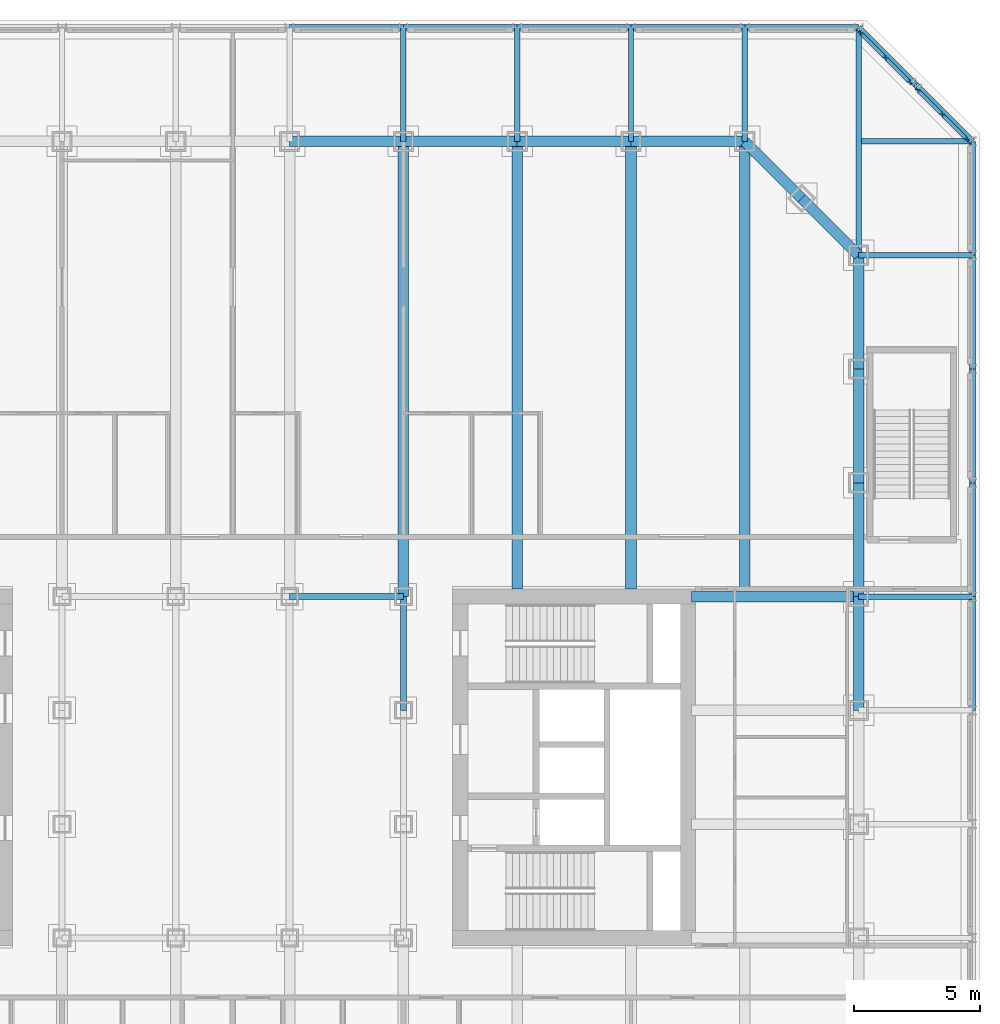
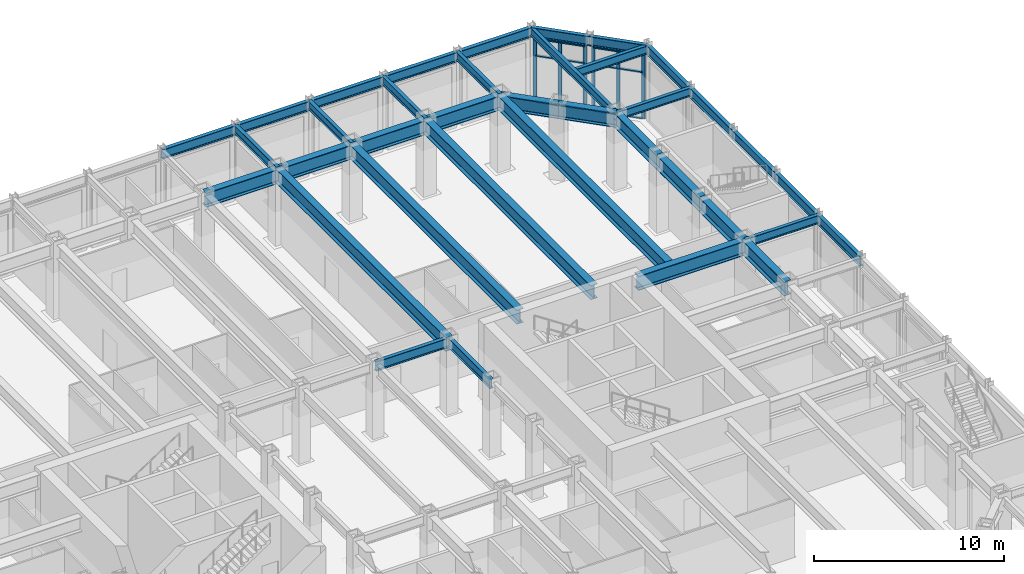
# One storey, part 8 of 19: 37 beams, 18 members, 2 elements without a shape of their own.
"""IFC4 building model written with IfcOpenShell, lengths in metres."""

import ifcopenshell
import ifcopenshell.guid

model = None  # the IFC model being written
_history = None  # IfcOwnerHistory: only IFC2X3 demands one
_inside = {}  # id of a spatial element -> (the spatial element, [elements in it])
_under = {}  # id of a project, library or spatial element -> (it, [spatial elements below it])
_declared = {}  # id of a project -> (the project, [libraries it declares])
_typed = {}  # id of a type object -> (the type object, [elements of that type])
_made_of = {}  # id of a material, layer set ... -> (it, [elements and type objects made of it])


def new_model(schema):
    """Start an empty IFC model of exactly this schema.

    Asked for "IFC4X3", IfcOpenShell would pick the latest addendum, in which some entities
    have other attributes; the version numbers below select the first issue.
    IFC2X3 requires an IfcOwnerHistory on every rooted entity: one is made here for all.
    """
    global model, _history
    if schema == "IFC4X3":
        model = ifcopenshell.file(schema_version=(4, 3, 0, 0))
    else:
        model = ifcopenshell.file(schema=schema)
    _inside.clear()
    _under.clear()
    _declared.clear()
    _typed.clear()
    _made_of.clear()
    _history = None
    if model.schema == "IFC2X3":
        org = make("IfcOrganization", Name="unknown")
        user = make(
            "IfcPersonAndOrganization",
            ThePerson=make("IfcPerson", FamilyName="unknown"),
            TheOrganization=org,
        )
        app = make(
            "IfcApplication",
            ApplicationDeveloper=org,
            Version="unknown",
            ApplicationFullName="unknown",
            ApplicationIdentifier="unknown",
        )
        _history = make(
            "IfcOwnerHistory",
            OwningUser=user,
            OwningApplication=app,
            ChangeAction="ADDED",
            CreationDate=0,
        )
    return model


def make(cls, **values):
    """One entity of the class cls with the attributes given. An attribute that is None is left unset."""
    return model.create_entity(
        cls, **{name: value for name, value in values.items() if value is not None}
    )


def rooted(cls, **values):
    """An entity with a GlobalId (a new one), such as an element, a storey or a relation."""
    return make(cls, GlobalId=ifcopenshell.guid.new(), OwnerHistory=_history, **values)


def si_unit(unit_type, name, prefix=None):
    """IfcSIUnit, for example si_unit("LENGTHUNIT", "METRE", prefix="MILLI")."""
    return make("IfcSIUnit", UnitType=unit_type, Prefix=prefix, Name=name)


def assignment(units):
    """IfcUnitAssignment: the units of a project."""
    return None if units is None else make("IfcUnitAssignment", Units=units)


def point(xyz):
    """IfcCartesianPoint."""
    return None if xyz is None else make("IfcCartesianPoint", Coordinates=xyz)


def direction(xyz):
    """IfcDirection."""
    return None if xyz is None else make("IfcDirection", DirectionRatios=xyz)


def frame(location, z_axis=None, x_axis=None):
    """IfcAxis2Placement3D, a coordinate frame: its origin and axes. An axis left out is left unset."""
    return make(
        "IfcAxis2Placement3D",
        Location=point(location),
        Axis=direction(z_axis),
        RefDirection=direction(x_axis),
    )


def frame_2d(location, x_axis=None):
    """IfcAxis2Placement2D, a coordinate frame in the plane: its origin and x axis."""
    return make(
        "IfcAxis2Placement2D", Location=point(location), RefDirection=direction(x_axis)
    )


def origin():
    """The frame at (0, 0, 0) with its axes left unset."""
    return frame((0.0, 0.0, 0.0))


def origin_2d():
    """The frame at (0, 0) in the plane with its x axis left unset."""
    return frame_2d((0.0, 0.0))


def place(relative_to, where):
    """IfcLocalPlacement: puts the frame where relative to a parent placement (None: the world)."""
    return make(
        "IfcLocalPlacement", PlacementRelTo=relative_to, RelativePlacement=where
    )


def context(
    kind, dimensions, precision=None, world=None, true_north=None, identifier=None
):
    """IfcGeometricRepresentationContext, for example the 3D "Model" context."""
    return make(
        "IfcGeometricRepresentationContext",
        ContextIdentifier=identifier,
        ContextType=kind,
        CoordinateSpaceDimension=dimensions,
        Precision=precision,
        WorldCoordinateSystem=world,
        TrueNorth=true_north,
    )


def subcontext(parent, identifier, kind, view, scale=None):
    """IfcGeometricRepresentationSubContext, for example "Body" below "Model"."""
    return make(
        "IfcGeometricRepresentationSubContext",
        ContextIdentifier=identifier,
        ContextType=kind,
        ParentContext=parent,
        TargetScale=scale,
        TargetView=view,
    )


def project(units=None, contexts=None):
    """IfcProject with its units and contexts."""
    return rooted(
        "IfcProject",
        Name="project",
        RepresentationContexts=contexts,
        UnitsInContext=assignment(units),
    )


def spatial(cls, under=None, at=None, **own):
    """A site, building, storey or space (cls), placed at a placement, below another one or the project."""
    s = rooted(cls, ObjectPlacement=at, **own)
    if under is not None:
        _under.setdefault(under.id(), (under, []))[1].append(s)
    return s


def profile(cls, at=None, kind="AREA", **sizes):
    """A parametric profile (cls). Its sizes go by their IFC names, for example OverallWidth=200.0."""
    return make(cls, ProfileType=kind, Position=at, **sizes)


def rectangle(**sizes):
    """IfcRectangleProfileDef."""
    return profile("IfcRectangleProfileDef", **sizes)


def i_section(**sizes):
    """IfcIShapeProfileDef."""
    return profile("IfcIShapeProfileDef", **sizes)


def extrude(swept, where, along, depth):
    """IfcExtrudedAreaSolid: the profile swept, set in the frame where, extruded along a direction by depth."""
    return make(
        "IfcExtrudedAreaSolid",
        SweptArea=swept,
        Position=where,
        ExtrudedDirection=direction(along),
        Depth=depth,
    )


def shape(context_of_items, identifier, shape_type, items):
    """IfcShapeRepresentation: the items that make up one representation, for example the "Body"."""
    return make(
        "IfcShapeRepresentation",
        ContextOfItems=context_of_items,
        RepresentationIdentifier=identifier,
        RepresentationType=shape_type,
        Items=items,
    )


def material(Name=None, Category=None):
    """IfcMaterial."""
    return make("IfcMaterial", Name=Name, Category=Category)


def material_profile(
    of_material, cross_section, Name=None, Category=None, Priority=None
):
    """IfcMaterialProfile: a cross section and its material."""
    return make(
        "IfcMaterialProfile",
        Name=Name,
        Material=of_material,
        Profile=cross_section,
        Priority=Priority,
        Category=Category,
    )


def profile_set(profiles, Name=None, composite=None):
    """IfcMaterialProfileSet."""
    return make(
        "IfcMaterialProfileSet",
        Name=Name,
        MaterialProfiles=profiles,
        CompositeProfile=composite,
    )


def made_of(thing, what):
    """Note that an element or type object is made of a material, layer set ...; save() writes the relation."""
    if what is not None:
        _made_of.setdefault(what.id(), (what, []))[1].append(thing)
    return thing


def type_object(cls, material=None, **own):
    """A type object (cls), such as IfcWallType, which elements share."""
    return made_of(rooted(cls, **own), material)


def element(
    cls,
    number,
    at=None,
    inside=None,
    cuts=None,
    type_object=None,
    material=None,
    context=None,
    identifier="Body",
    shape_type=None,
    held_by="IfcProductDefinitionShape",
    body=None,
    shapes=None,
    **own,
):
    """One element of the class cls, such as IfcWall. Its Tag is "e" and its number.

    at: its placement. inside: the storey or other place that contains it. cuts: it is an
    opening in that element (IfcRelVoidsElement). A single representation is given by context,
    identifier, shape_type and body (its items); several are given by shapes. held_by: the class
    of the entity that holds the representations. save() writes the other relations.
    """
    e = rooted(cls, Tag="e%d" % number, ObjectPlacement=at, **own)
    if body is not None:
        shapes = [shape(context, identifier, shape_type, body)]
    if shapes is not None:
        e.Representation = make(held_by, Representations=shapes)
    if inside is not None:
        _inside.setdefault(inside.id(), (inside, []))[1].append(e)
    if cuts is not None:
        rooted(
            "IfcRelVoidsElement", RelatingBuildingElement=cuts, RelatedOpeningElement=e
        )
    if type_object is not None:
        _typed.setdefault(type_object.id(), (type_object, []))[1].append(e)
    return made_of(e, material)


def aggregate(whole, parts):
    """IfcRelAggregates: a whole, such as a stair, and the parts it consists of."""
    return rooted("IfcRelAggregates", RelatingObject=whole, RelatedObjects=parts)


def save(model, path):
    """Write the relations noted so far, then the file.

    IfcRelAggregates (storeys below a building ...), IfcRelContainedInSpatialStructure (elements
    in a storey), IfcRelDefinesByType, IfcRelAssociatesMaterial and IfcRelDeclares: one each for
    every whole, place, type object, material and project.
    """
    for whole, parts in _under.values():
        aggregate(whole, parts)
    for where, things in _inside.values():
        rooted(
            "IfcRelContainedInSpatialStructure",
            RelatedElements=things,
            RelatingStructure=where,
        )
    for kind, things in _typed.values():
        rooted("IfcRelDefinesByType", RelatedObjects=things, RelatingType=kind)
    for what, things in _made_of.values():
        rooted("IfcRelAssociatesMaterial", RelatedObjects=things, RelatingMaterial=what)
    for by, libraries in _declared.values():
        rooted("IfcRelDeclares", RelatingContext=by, RelatedDefinitions=libraries)
    model.write(path)


model = new_model("IFC4")

# Units and contexts
model_context = context("Model", 3, precision=1e-05, world=origin(), true_north=direction((0.0, 1.0)))
body_context = subcontext(model_context, "Body", "Model", "MODEL_VIEW")
ifc_project = project(units=[si_unit("LENGTHUNIT", "METRE"), si_unit("AREAUNIT", "SQUARE_METRE"), si_unit("VOLUMEUNIT", "CUBIC_METRE"), si_unit("PLANEANGLEUNIT", "RADIAN"), si_unit("MASSUNIT", "GRAM", prefix="KILO")], contexts=[model_context])

# Site, building, storey
site_placement = place(None, origin())
site = spatial("IfcSite", under=ifc_project, at=site_placement, CompositionType="ELEMENT")
building_placement = place(site_placement, origin())
building = spatial("IfcBuilding", under=site, at=building_placement, Name="Msasa Ring Tower", CompositionType="ELEMENT")
storey_placement = place(building_placement, frame((0.0, 0.0, 11.0)))
storey = spatial("IfcBuildingStorey", under=building, at=storey_placement, Name="L02", CompositionType="ELEMENT", Elevation=11.0)

# Curtain wall, members
ifc_material_1 = material(Name="Aluminium curtain wall with clear glass", Category="aluminium")
curtain_wall_type = type_object("IfcCurtainWallType", Name="CW-K PODIUM CORNER CURTAIN WALL", PredefinedType="NOTDEFINED", material=ifc_material_1)
curtain_wall_1_placement = place(storey_placement, origin())
curtain_wall_1 = element("IfcCurtainWall", 1, at=curtain_wall_1_placement, inside=storey, type_object=curtain_wall_type, Name="Podium corner curtain wall NE L02", PredefinedType="NOTDEFINED")
ifc_material_2 = material(Name="Aluminium mullion", Category="aluminium")
ifc_material_profile_1 = material_profile(ifc_material_2, rectangle(XDim=0.070068359375, YDim=0.199951171875, at=origin_2d()), Name="AL 70x200")
ifc_profile_set_1 = profile_set([ifc_material_profile_1], Name="Aluminium mullion")
member_type_1 = type_object("IfcMemberType", Name="CW-K MULLION 70x200", PredefinedType="MULLION", material=ifc_profile_set_1)
member_1_placement = place(storey_placement, frame((26.77197265625, 27.086669921875, 0.0), z_axis=(0.0, 0.0, 1.0), x_axis=(-0.707106781187, -0.707106781187, 0.0)))
member_1 = element("IfcMember", 2, at=member_1_placement, type_object=member_type_1, Name="CW-K mullion 1", PredefinedType="MULLION", context=body_context, shape_type="SweptSolid", body=[
    extrude(rectangle(XDim=0.070068359375, YDim=0.199951171875, at=origin_2d()), origin(), (0.0, 0.0, 1.0), 4.1328125),
])
member_2_placement = place(storey_placement, frame((25.80419921875, 28.05419921875, 0.0), z_axis=(0.0, 0.0, 1.0), x_axis=(-0.707106781187, -0.707106781187, 0.0)))
member_2 = element("IfcMember", 3, at=member_2_placement, type_object=member_type_1, Name="CW-K mullion 2", PredefinedType="MULLION", context=body_context, shape_type="SweptSolid", body=[
    extrude(rectangle(XDim=0.070068359375, YDim=0.199951171875, at=origin_2d()), origin(), (0.0, 0.0, 1.0), 4.1328125),
])
member_3_placement = place(storey_placement, frame((24.836669921875, 29.02197265625, 0.0), z_axis=(0.0, 0.0, 1.0), x_axis=(-0.707106781187, -0.707106781187, 0.0)))
member_3 = element("IfcMember", 4, at=member_3_placement, type_object=member_type_1, Name="CW-K mullion 3", PredefinedType="MULLION", context=body_context, shape_type="SweptSolid", body=[
    extrude(rectangle(XDim=0.070068359375, YDim=0.199951171875, at=origin_2d()), origin(), (0.0, 0.0, 1.0), 4.1328125),
])

curtain_wall_2_placement = place(storey_placement, origin())
curtain_wall_2 = element("IfcCurtainWall", 5, at=curtain_wall_2_placement, inside=storey, type_object=curtain_wall_type, Name="Podium corner curtain wall NE L02", PredefinedType="NOTDEFINED")
member_4_placement = place(storey_placement, frame((29.02197265625, 24.836669921875, 0.0), z_axis=(0.0, 0.0, 1.0), x_axis=(-0.707106781187, -0.707106781187, 0.0)))
member_4 = element("IfcMember", 6, at=member_4_placement, type_object=member_type_1, Name="CW-K mullion 1", PredefinedType="MULLION", context=body_context, shape_type="SweptSolid", body=[
    extrude(rectangle(XDim=0.070068359375, YDim=0.199951171875, at=origin_2d()), origin(), (0.0, 0.0, 1.0), 4.1328125),
])
member_5_placement = place(storey_placement, frame((28.05419921875, 25.80419921875, 0.0), z_axis=(0.0, 0.0, 1.0), x_axis=(-0.707106781187, -0.707106781187, 0.0)))
member_5 = element("IfcMember", 7, at=member_5_placement, type_object=member_type_1, Name="CW-K mullion 2", PredefinedType="MULLION", context=body_context, shape_type="SweptSolid", body=[
    extrude(rectangle(XDim=0.070068359375, YDim=0.199951171875, at=origin_2d()), origin(), (0.0, 0.0, 1.0), 4.1328125),
])
member_6_placement = place(storey_placement, frame((27.086669921875, 26.77197265625, 0.0), z_axis=(0.0, 0.0, 1.0), x_axis=(-0.707106781187, -0.707106781187, 0.0)))
member_6 = element("IfcMember", 8, at=member_6_placement, type_object=member_type_1, Name="CW-K mullion 3", PredefinedType="MULLION", context=body_context, shape_type="SweptSolid", body=[
    extrude(rectangle(XDim=0.070068359375, YDim=0.199951171875, at=origin_2d()), origin(), (0.0, 0.0, 1.0), 4.1328125),
])

# Member
ifc_material_3 = material(Name="Aluminium transom", Category="aluminium")
ifc_material_profile_2 = material_profile(ifc_material_3, rectangle(XDim=0.14990234375, YDim=0.070068359375, at=origin_2d()), Name="AL 70x150")
ifc_profile_set_2 = profile_set([ifc_material_profile_2], Name="Aluminium transom")
member_type_2 = type_object("IfcMemberType", Name="CW-K TRANSOM 70x150", PredefinedType="USERDEFINED", material=ifc_profile_set_2)
member_7_placement = place(storey_placement, frame((26.7470703125, 27.111572265625, 0.034912109375), z_axis=(-0.707106781187, 0.707106781187, 0.0), x_axis=(-0.707106781187, -0.707106781187, 0.0)))
member_7 = element("IfcMember", 9, at=member_7_placement, type_object=member_type_2, Name="CW-K transom 1.1", ObjectType="TRANSOM", PredefinedType="USERDEFINED", context=body_context, shape_type="SweptSolid", body=[
    extrude(rectangle(XDim=0.14990234375, YDim=0.070068359375, at=origin_2d()), origin(), (0.0, 0.0, 1.0), 1.298095703125),
])

member_8_placement = place(storey_placement, frame((26.7470703125, 27.111572265625, 3.0), z_axis=(-0.707106781187, 0.707106781187, 0.0), x_axis=(-0.707106781187, -0.707106781187, 0.0)))
member_8 = element("IfcMember", 10, at=member_8_placement, type_object=member_type_2, Name="CW-K transom 1.2", ObjectType="TRANSOM", PredefinedType="USERDEFINED", context=body_context, shape_type="SweptSolid", body=[
    extrude(rectangle(XDim=0.14990234375, YDim=0.070068359375, at=origin_2d()), origin(), (0.0, 0.0, 1.0), 1.298095703125),
])

member_9_placement = place(storey_placement, frame((26.7470703125, 27.111572265625, 4.097900390625), z_axis=(-0.707106781187, 0.707106781187, 0.0), x_axis=(-0.707106781187, -0.707106781187, 0.0)))
member_9 = element("IfcMember", 11, at=member_9_placement, type_object=member_type_2, Name="CW-K transom 1.3", ObjectType="TRANSOM", PredefinedType="USERDEFINED", context=body_context, shape_type="SweptSolid", body=[
    extrude(rectangle(XDim=0.14990234375, YDim=0.070068359375, at=origin_2d()), origin(), (0.0, 0.0, 1.0), 1.298095703125),
])

member_10_placement = place(storey_placement, frame((25.779541015625, 28.0791015625, 0.034912109375), z_axis=(-0.707106781187, 0.707106781187, 0.0), x_axis=(-0.707106781187, -0.707106781187, 0.0)))
member_10 = element("IfcMember", 12, at=member_10_placement, type_object=member_type_2, Name="CW-K transom 2.1", ObjectType="TRANSOM", PredefinedType="USERDEFINED", context=body_context, shape_type="SweptSolid", body=[
    extrude(rectangle(XDim=0.14990234375, YDim=0.070068359375, at=origin_2d()), origin(), (0.0, 0.0, 1.0), 1.298095703125),
])

member_11_placement = place(storey_placement, frame((25.779541015625, 28.0791015625, 3.0), z_axis=(-0.707106781187, 0.707106781187, 0.0), x_axis=(-0.707106781187, -0.707106781187, 0.0)))
member_11 = element("IfcMember", 13, at=member_11_placement, type_object=member_type_2, Name="CW-K transom 2.2", ObjectType="TRANSOM", PredefinedType="USERDEFINED", context=body_context, shape_type="SweptSolid", body=[
    extrude(rectangle(XDim=0.14990234375, YDim=0.070068359375, at=origin_2d()), origin(), (0.0, 0.0, 1.0), 1.298095703125),
])

member_12_placement = place(storey_placement, frame((25.779541015625, 28.0791015625, 4.097900390625), z_axis=(-0.707106781187, 0.707106781187, 0.0), x_axis=(-0.707106781187, -0.707106781187, 0.0)))
member_12 = element("IfcMember", 14, at=member_12_placement, type_object=member_type_2, Name="CW-K transom 2.3", ObjectType="TRANSOM", PredefinedType="USERDEFINED", context=body_context, shape_type="SweptSolid", body=[
    extrude(rectangle(XDim=0.14990234375, YDim=0.070068359375, at=origin_2d()), origin(), (0.0, 0.0, 1.0), 1.298095703125),
])

aggregate(curtain_wall_1, [member_1, member_2, member_3, member_7, member_8, member_9, member_10, member_11, member_12])

member_13_placement = place(storey_placement, frame((28.9970703125, 24.861572265625, 0.034912109375), z_axis=(-0.707106781187, 0.707106781187, 0.0), x_axis=(-0.707106781187, -0.707106781187, 0.0)))
member_13 = element("IfcMember", 15, at=member_13_placement, type_object=member_type_2, Name="CW-K transom 1.1", ObjectType="TRANSOM", PredefinedType="USERDEFINED", context=body_context, shape_type="SweptSolid", body=[
    extrude(rectangle(XDim=0.14990234375, YDim=0.070068359375, at=origin_2d()), origin(), (0.0, 0.0, 1.0), 1.298095703125),
])

member_14_placement = place(storey_placement, frame((28.9970703125, 24.861572265625, 3.0), z_axis=(-0.707106781187, 0.707106781187, 0.0), x_axis=(-0.707106781187, -0.707106781187, 0.0)))
member_14 = element("IfcMember", 16, at=member_14_placement, type_object=member_type_2, Name="CW-K transom 1.2", ObjectType="TRANSOM", PredefinedType="USERDEFINED", context=body_context, shape_type="SweptSolid", body=[
    extrude(rectangle(XDim=0.14990234375, YDim=0.070068359375, at=origin_2d()), origin(), (0.0, 0.0, 1.0), 1.298095703125),
])

member_15_placement = place(storey_placement, frame((28.9970703125, 24.861572265625, 4.097900390625), z_axis=(-0.707106781187, 0.707106781187, 0.0), x_axis=(-0.707106781187, -0.707106781187, 0.0)))
member_15 = element("IfcMember", 17, at=member_15_placement, type_object=member_type_2, Name="CW-K transom 1.3", ObjectType="TRANSOM", PredefinedType="USERDEFINED", context=body_context, shape_type="SweptSolid", body=[
    extrude(rectangle(XDim=0.14990234375, YDim=0.070068359375, at=origin_2d()), origin(), (0.0, 0.0, 1.0), 1.298095703125),
])

member_16_placement = place(storey_placement, frame((28.029541015625, 25.8291015625, 0.034912109375), z_axis=(-0.707106781187, 0.707106781187, 0.0), x_axis=(-0.707106781187, -0.707106781187, 0.0)))
member_16 = element("IfcMember", 18, at=member_16_placement, type_object=member_type_2, Name="CW-K transom 2.1", ObjectType="TRANSOM", PredefinedType="USERDEFINED", context=body_context, shape_type="SweptSolid", body=[
    extrude(rectangle(XDim=0.14990234375, YDim=0.070068359375, at=origin_2d()), origin(), (0.0, 0.0, 1.0), 1.298095703125),
])

member_17_placement = place(storey_placement, frame((28.029541015625, 25.8291015625, 3.0), z_axis=(-0.707106781187, 0.707106781187, 0.0), x_axis=(-0.707106781187, -0.707106781187, 0.0)))
member_17 = element("IfcMember", 19, at=member_17_placement, type_object=member_type_2, Name="CW-K transom 2.2", ObjectType="TRANSOM", PredefinedType="USERDEFINED", context=body_context, shape_type="SweptSolid", body=[
    extrude(rectangle(XDim=0.14990234375, YDim=0.070068359375, at=origin_2d()), origin(), (0.0, 0.0, 1.0), 1.298095703125),
])

member_18_placement = place(storey_placement, frame((28.029541015625, 25.8291015625, 4.097900390625), z_axis=(-0.707106781187, 0.707106781187, 0.0), x_axis=(-0.707106781187, -0.707106781187, 0.0)))
member_18 = element("IfcMember", 20, at=member_18_placement, type_object=member_type_2, Name="CW-K transom 2.3", ObjectType="TRANSOM", PredefinedType="USERDEFINED", context=body_context, shape_type="SweptSolid", body=[
    extrude(rectangle(XDim=0.14990234375, YDim=0.070068359375, at=origin_2d()), origin(), (0.0, 0.0, 1.0), 1.298095703125),
])

aggregate(curtain_wall_2, [member_4, member_5, member_6, member_13, member_14, member_15, member_16, member_17, member_18])

# Beams
ifc_material_4 = material(Name="Steel S355", Category="steel")
ifc_material_profile_3 = material_profile(ifc_material_4, i_section(OverallWidth=0.41845703125, OverallDepth=0.911865234375, WebThickness=0.019287109375, FlangeThickness=0.031982421875, FilletRadius=0.024169921875, at=origin_2d()), Name="UB 914x419x343")
ifc_profile_set_3 = profile_set([ifc_material_profile_3], Name="Steel S355")
beam_type_1 = type_object("IfcBeamType", Name="FB1 UB 914x419x343", PredefinedType="BEAM", material=ifc_profile_set_3)
beam_1_placement = place(storey_placement, frame((6.75, 24.75, 4.294189453125), z_axis=(0.0, -1.0, 0.0), x_axis=(1.0, 0.0, 0.0)))
element("IfcBeam", 21, at=beam_1_placement, inside=storey, type_object=beam_type_1, Name="Floor beam N+6.75 under L03", PredefinedType="BEAM", context=body_context, shape_type="SweptSolid", body=[
    extrude(i_section(OverallWidth=0.41845703125, OverallDepth=0.911865234375, WebThickness=0.019287109375, FlangeThickness=0.031982421875, FilletRadius=0.024169921875, at=origin_2d()), origin(), (0.0, 0.0, 1.0), 18.0),
])
for number, where, z_axis, x_axis, name in (
    (22, (11.25, 24.75, 4.294189453125), (0.0, -1.0, 0.0), (1.0, 0.0, 0.0), "Floor beam N+11.25 under L03"),
    (23, (15.75, 24.75, 4.294189453125), (0.0, -1.0, 0.0), (1.0, 0.0, 0.0), "Floor beam N+15.75 under L03"),
):
    element("IfcBeam", number, at=place(storey_placement, frame(where, z_axis=z_axis, x_axis=x_axis)), inside=storey, type_object=beam_type_1, Name=name, PredefinedType="BEAM", context=body_context, shape_type="SweptSolid", body=[
        extrude(i_section(OverallWidth=0.41845703125, OverallDepth=0.911865234375, WebThickness=0.019287109375, FlangeThickness=0.031982421875, FilletRadius=0.024169921875, at=origin_2d()), origin(), (0.0, 0.0, 1.0), 17.699951171875),
    ])
beam_2_placement = place(storey_placement, frame((20.25, 24.75, 4.294189453125), z_axis=(0.0, -1.0, 0.0), x_axis=(1.0, 0.0, 0.0)))
element("IfcBeam", 24, at=beam_2_placement, inside=storey, type_object=beam_type_1, Name="Floor beam N+20.25 under L03", PredefinedType="BEAM", context=body_context, shape_type="SweptSolid", body=[
    extrude(i_section(OverallWidth=0.41845703125, OverallDepth=0.911865234375, WebThickness=0.019287109375, FlangeThickness=0.031982421875, FilletRadius=0.024169921875, at=origin_2d()), origin(), (0.0, 0.0, 1.0), 17.789794921875),
])
ifc_material_5 = material(Name="Steel S355", Category="steel")
ifc_material_profile_4 = material_profile(ifc_material_5, i_section(OverallWidth=0.42041015625, OverallDepth=0.9208984375, WebThickness=0.021484375, FlangeThickness=0.03662109375, FilletRadius=0.024169921875, at=origin_2d()), Name="UB 914x419x388")
ifc_profile_set_4 = profile_set([ifc_material_profile_4], Name="Steel S355")
beam_type_2 = type_object("IfcBeamType", Name="GB1 UB 914x419x388", PredefinedType="BEAM", material=ifc_profile_set_4)
beam_3_placement = place(storey_placement, frame((18.14990234375, 6.75, 4.28955078125), z_axis=(1.0, 0.0, 0.0), x_axis=(0.0, 1.0, 0.0)))
element("IfcBeam", 25, at=beam_3_placement, inside=storey, type_object=beam_type_2, Name="Girder E +6.75 under L03", PredefinedType="BEAM", context=body_context, shape_type="SweptSolid", body=[
    extrude(i_section(OverallWidth=0.42041015625, OverallDepth=0.9208984375, WebThickness=0.021484375, FlangeThickness=0.03662109375, FilletRadius=0.024169921875, at=origin_2d()), origin(), (0.0, 0.0, 1.0), 6.60009765625),
])
ifc_material_6 = material(Name="Steel S355", Category="steel")
ifc_material_profile_5 = material_profile(ifc_material_6, i_section(OverallWidth=0.2119140625, OverallDepth=0.54443359375, WebThickness=0.0126953125, FlangeThickness=0.021240234375, FilletRadius=0.0126953125, at=origin_2d()), Name="UB 533x210x122")
ifc_profile_set_5 = profile_set([ifc_material_profile_5], Name="Steel S355")
beam_type_3 = type_object("IfcBeamType", Name="PB1 UB 533x210x122", PredefinedType="BEAM", material=ifc_profile_set_5)
for number, where, z_axis, x_axis, name in (
    (26, (6.75, 29.25, 4.477783203125), (0.0, -1.0, 0.0), (1.0, 0.0, 0.0), "Podium beam N+6.75 under L03"),
    (27, (29.25, 6.75, 4.477783203125), (-1.0, 0.0, 0.0), (0.0, -1.0, 0.0), "Podium beam E+6.75 under L03"),
    (28, (11.25, 29.25, 4.477783203125), (0.0, -1.0, 0.0), (1.0, 0.0, 0.0), "Podium beam N+11.25 under L03"),
    (29, (15.75, 29.25, 4.477783203125), (0.0, -1.0, 0.0), (1.0, 0.0, 0.0), "Podium beam N+15.75 under L03"),
    (30, (20.25, 29.25, 4.477783203125), (0.0, -1.0, 0.0), (1.0, 0.0, 0.0), "Podium beam N+20.25 under L03"),
    (31, (29.25, 20.25, 4.477783203125), (-1.0, 0.0, 0.0), (0.0, -1.0, 0.0), "Podium beam E+20.25 under L03"),
):
    element("IfcBeam", number, at=place(storey_placement, frame(where, z_axis=z_axis, x_axis=x_axis)), inside=storey, type_object=beam_type_3, Name=name, PredefinedType="BEAM", context=body_context, shape_type="SweptSolid", body=[
        extrude(i_section(OverallWidth=0.2119140625, OverallDepth=0.54443359375, WebThickness=0.0126953125, FlangeThickness=0.021240234375, FilletRadius=0.0126953125, at=origin_2d()), origin(), (0.0, 0.0, 1.0), 4.5),
    ])
beam_4_placement = place(storey_placement, frame((24.75, 29.25, 4.477783203125), z_axis=(0.0, -1.0, 0.0), x_axis=(1.0, 0.0, 0.0)))
element("IfcBeam", 32, at=beam_4_placement, inside=storey, type_object=beam_type_3, Name="Podium beam N+24.75 under L03", PredefinedType="BEAM", context=body_context, shape_type="SweptSolid", body=[
    extrude(i_section(OverallWidth=0.2119140625, OverallDepth=0.54443359375, WebThickness=0.0126953125, FlangeThickness=0.021240234375, FilletRadius=0.0126953125, at=origin_2d()), origin(), (0.0, 0.0, 1.0), 9.0),
])
beam_5_placement = place(storey_placement, frame((29.25, 24.75, 4.477783203125), z_axis=(-1.0, 0.0, 0.0), x_axis=(0.0, -1.0, 0.0)))
element("IfcBeam", 33, at=beam_5_placement, inside=storey, type_object=beam_type_3, Name="Podium beam E+24.75 under L03", PredefinedType="BEAM", context=body_context, shape_type="SweptSolid", body=[
    extrude(i_section(OverallWidth=0.2119140625, OverallDepth=0.54443359375, WebThickness=0.0126953125, FlangeThickness=0.021240234375, FilletRadius=0.0126953125, at=origin_2d()), origin(), (0.0, 0.0, 1.0), 4.39404296875),
])
ifc_material_7 = material(Name="Steel S355", Category="steel")
ifc_material_profile_6 = material_profile(ifc_material_7, i_section(OverallWidth=0.230224609375, OverallDepth=0.6171875, WebThickness=0.01318359375, FlangeThickness=0.022216796875, FilletRadius=0.0126953125, at=origin_2d()), Name="UB 610x229x140")
ifc_profile_set_6 = profile_set([ifc_material_profile_6], Name="Steel S355")
beam_type_4 = type_object("IfcBeamType", Name="RB1 UB 610x229x140", PredefinedType="BEAM", material=ifc_profile_set_6)
for number, where, z_axis, x_axis, name in (
    (34, (6.75, 2.25, 4.44140625), (0.0, 1.0, 0.0), (-1.0, 0.0, 0.0), "Inner ring beam IR+6.75+2.25 under L03"),
    (35, (6.75, 6.75, 4.44140625), (-1.0, 0.0, 0.0), (0.0, -1.0, 0.0), "Inner ring beam IR+6.75+6.75 under L03"),
):
    element("IfcBeam", number, at=place(storey_placement, frame(where, z_axis=z_axis, x_axis=x_axis)), inside=storey, type_object=beam_type_4, Name=name, PredefinedType="BEAM", context=body_context, shape_type="SweptSolid", body=[
        extrude(i_section(OverallWidth=0.230224609375, OverallDepth=0.6171875, WebThickness=0.01318359375, FlangeThickness=0.022216796875, FilletRadius=0.0126953125, at=origin_2d()), origin(), (0.0, 0.0, 1.0), 4.5),
    ])
ifc_material_8 = material(Name="Steel S355", Category="steel")
ifc_material_profile_7 = material_profile(ifc_material_8, i_section(OverallWidth=0.42041015625, OverallDepth=0.9208984375, WebThickness=0.021484375, FlangeThickness=0.03662109375, FilletRadius=0.024169921875, at=origin_2d()), Name="UB 914x419x388")
ifc_profile_set_7 = profile_set([ifc_material_profile_7], Name="Steel S355")
beam_type_5 = type_object("IfcBeamType", Name="SB1 UB 914x419x388", PredefinedType="SPANDREL", material=ifc_profile_set_7)
for number, where, z_axis, x_axis, name in (
    (36, (24.75, 2.25, 4.28955078125), (0.0, 1.0, 0.0), (-1.0, 0.0, 0.0), "Spandrel E+2.25 to E+6.75 under L03"),
    (37, (24.75, 6.75, 4.28955078125), (0.0, 1.0, 0.0), (-1.0, 0.0, 0.0), "Spandrel E+6.75 to E+11.25 under L03"),
    (38, (24.75, 11.25, 4.28955078125), (0.0, 1.0, 0.0), (-1.0, 0.0, 0.0), "Spandrel E+11.25 to E+15.75 under L03"),
    (39, (24.75, 15.75, 4.28955078125), (0.0, 1.0, 0.0), (-1.0, 0.0, 0.0), "Spandrel E+15.75 to E+20.25 under L03"),
):
    element("IfcBeam", number, at=place(storey_placement, frame(where, z_axis=z_axis, x_axis=x_axis)), inside=storey, type_object=beam_type_5, Name=name, PredefinedType="SPANDREL", context=body_context, shape_type="SweptSolid", body=[
        extrude(i_section(OverallWidth=0.42041015625, OverallDepth=0.9208984375, WebThickness=0.021484375, FlangeThickness=0.03662109375, FilletRadius=0.024169921875, at=origin_2d()), origin(), (0.0, 0.0, 1.0), 4.5),
    ])
for number, where, z_axis, x_axis, name in (
    (40, (24.75, 20.25, 4.28955078125), (-0.707106781187, 0.707106781187, 0.0), (-0.707106781187, -0.707106781187, 0.0), "Spandrel E+20.25 to NE under L03"),
    (41, (22.5, 22.5, 4.28955078125), (-0.707106781187, 0.707106781187, 0.0), (-0.707106781187, -0.707106781187, 0.0), "Spandrel NE to N+20.25 under L03"),
):
    element("IfcBeam", number, at=place(storey_placement, frame(where, z_axis=z_axis, x_axis=x_axis)), inside=storey, type_object=beam_type_5, Name=name, PredefinedType="SPANDREL", context=body_context, shape_type="SweptSolid", body=[
        extrude(i_section(OverallWidth=0.42041015625, OverallDepth=0.9208984375, WebThickness=0.021484375, FlangeThickness=0.03662109375, FilletRadius=0.024169921875, at=origin_2d()), origin(), (0.0, 0.0, 1.0), 3.181884765625),
    ])
for number, where, z_axis, x_axis, name in (
    (42, (20.25, 24.75, 4.28955078125), (-1.0, 0.0, 0.0), (0.0, -1.0, 0.0), "Spandrel N+20.25 to N+15.75 under L03"),
    (43, (15.75, 24.75, 4.28955078125), (-1.0, 0.0, 0.0), (0.0, -1.0, 0.0), "Spandrel N+15.75 to N+11.25 under L03"),
    (44, (11.25, 24.75, 4.28955078125), (-1.0, 0.0, 0.0), (0.0, -1.0, 0.0), "Spandrel N+11.25 to N+6.75 under L03"),
    (45, (6.75, 24.75, 4.28955078125), (-1.0, 0.0, 0.0), (0.0, -1.0, 0.0), "Spandrel N+6.75 to N+2.25 under L03"),
):
    element("IfcBeam", number, at=place(storey_placement, frame(where, z_axis=z_axis, x_axis=x_axis)), inside=storey, type_object=beam_type_5, Name=name, PredefinedType="SPANDREL", context=body_context, shape_type="SweptSolid", body=[
        extrude(i_section(OverallWidth=0.42041015625, OverallDepth=0.9208984375, WebThickness=0.021484375, FlangeThickness=0.03662109375, FilletRadius=0.024169921875, at=origin_2d()), origin(), (0.0, 0.0, 1.0), 4.5),
    ])
ifc_material_9 = material(Name="Steel S355", Category="steel")
ifc_material_profile_8 = material_profile(ifc_material_9, i_section(OverallWidth=0.230224609375, OverallDepth=0.6171875, WebThickness=0.01318359375, FlangeThickness=0.022216796875, FilletRadius=0.0126953125, at=origin_2d()), Name="UB 610x229x140")
ifc_profile_set_8 = profile_set([ifc_material_profile_8], Name="Steel S355")
beam_type_6 = type_object("IfcBeamType", Name="SB2 UB 610x229x140", PredefinedType="SPANDREL", material=ifc_profile_set_8)
for number, where, z_axis, x_axis, name in (
    (46, (29.25, 2.25, 4.44140625), (0.0, 1.0, 0.0), (-1.0, 0.0, 0.0), "Podium spandrel E+2.25 under L03"),
    (47, (29.25, 6.75, 4.44140625), (0.0, 1.0, 0.0), (-1.0, 0.0, 0.0), "Podium spandrel E+6.75 under L03"),
    (48, (29.25, 11.25, 4.44140625), (0.0, 1.0, 0.0), (-1.0, 0.0, 0.0), "Podium spandrel E+11.25 under L03"),
    (49, (29.25, 15.75, 4.44140625), (0.0, 1.0, 0.0), (-1.0, 0.0, 0.0), "Podium spandrel E+15.75 under L03"),
    (50, (29.25, 20.25, 4.44140625), (0.0, 1.0, 0.0), (-1.0, 0.0, 0.0), "Podium spandrel E+20.25 under L03"),
):
    element("IfcBeam", number, at=place(storey_placement, frame(where, z_axis=z_axis, x_axis=x_axis)), inside=storey, type_object=beam_type_6, Name=name, PredefinedType="SPANDREL", context=body_context, shape_type="SweptSolid", body=[
        extrude(i_section(OverallWidth=0.230224609375, OverallDepth=0.6171875, WebThickness=0.01318359375, FlangeThickness=0.022216796875, FilletRadius=0.0126953125, at=origin_2d()), origin(), (0.0, 0.0, 1.0), 4.5),
    ])
for number, where, z_axis, x_axis, name in (
    (51, (29.25, 24.75, 4.44140625), (-0.707106781187, 0.707106781187, 0.0), (-0.707106781187, -0.707106781187, 0.0), "Podium spandrel E+24.75 under L03"),
    (52, (27.0, 27.0, 4.44140625), (-0.707106781187, 0.707106781187, 0.0), (-0.707106781187, -0.707106781187, 0.0), "Podium spandrel NE under L03"),
):
    element("IfcBeam", number, at=place(storey_placement, frame(where, z_axis=z_axis, x_axis=x_axis)), inside=storey, type_object=beam_type_6, Name=name, PredefinedType="SPANDREL", context=body_context, shape_type="SweptSolid", body=[
        extrude(i_section(OverallWidth=0.230224609375, OverallDepth=0.6171875, WebThickness=0.01318359375, FlangeThickness=0.022216796875, FilletRadius=0.0126953125, at=origin_2d()), origin(), (0.0, 0.0, 1.0), 3.181884765625),
    ])
for number, where, z_axis, x_axis, name in (
    (53, (24.75, 29.25, 4.44140625), (-1.0, 0.0, 0.0), (0.0, -1.0, 0.0), "Podium spandrel N+24.75 under L03"),
    (54, (20.25, 29.25, 4.44140625), (-1.0, 0.0, 0.0), (0.0, -1.0, 0.0), "Podium spandrel N+20.25 under L03"),
    (55, (15.75, 29.25, 4.44140625), (-1.0, 0.0, 0.0), (0.0, -1.0, 0.0), "Podium spandrel N+15.75 under L03"),
    (56, (11.25, 29.25, 4.44140625), (-1.0, 0.0, 0.0), (0.0, -1.0, 0.0), "Podium spandrel N+11.25 under L03"),
    (57, (6.75, 29.25, 4.44140625), (-1.0, 0.0, 0.0), (0.0, -1.0, 0.0), "Podium spandrel N+6.75 under L03"),
):
    element("IfcBeam", number, at=place(storey_placement, frame(where, z_axis=z_axis, x_axis=x_axis)), inside=storey, type_object=beam_type_6, Name=name, PredefinedType="SPANDREL", context=body_context, shape_type="SweptSolid", body=[
        extrude(i_section(OverallWidth=0.230224609375, OverallDepth=0.6171875, WebThickness=0.01318359375, FlangeThickness=0.022216796875, FilletRadius=0.0126953125, at=origin_2d()), origin(), (0.0, 0.0, 1.0), 4.5),
    ])

save(model, "model.ifc")
